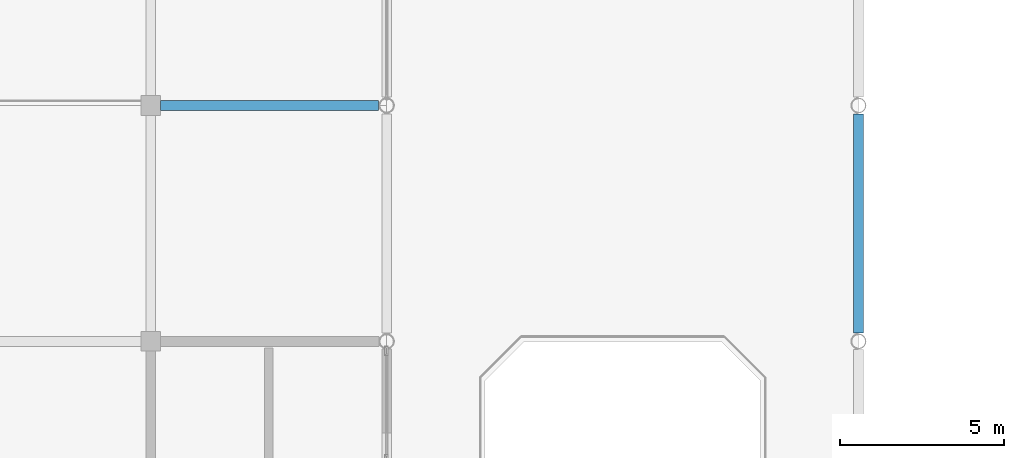
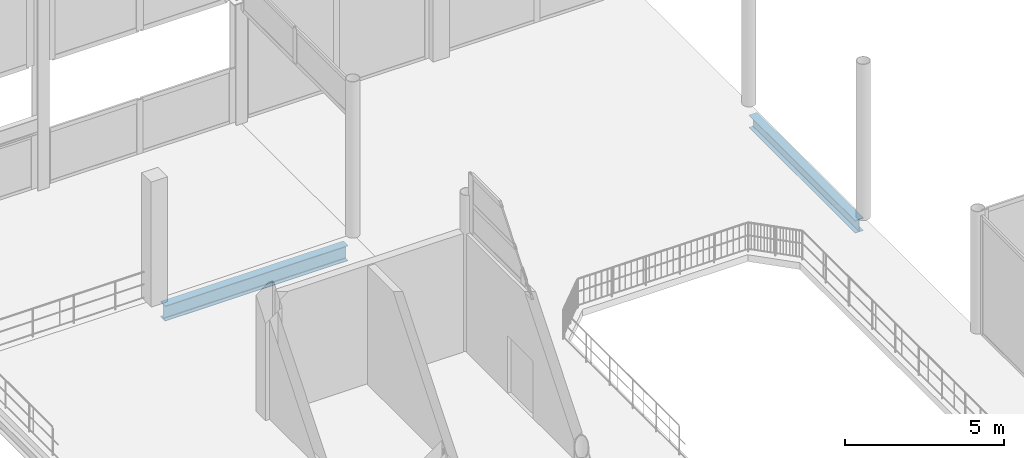
# One storey, part 58 of 120: 2 beams.
"""IFC4 building model written with IfcOpenShell, lengths in metres."""

from ifc_helpers import new_model, si_unit, direction, frame, origin, origin_2d, place, context, subcontext, project, spatial, i_section, extrude, material, material_profile, profile_set, type_object, element, save


model = new_model("IFC4")

# Units and contexts
model_context = context("Model", 3, precision=1e-05, world=origin(), true_north=direction((0.0, 1.0)))
body_context = subcontext(model_context, "Body", "Model", "MODEL_VIEW")
ifc_project = project(units=[si_unit("LENGTHUNIT", "METRE"), si_unit("AREAUNIT", "SQUARE_METRE"), si_unit("VOLUMEUNIT", "CUBIC_METRE"), si_unit("PLANEANGLEUNIT", "RADIAN"), si_unit("MASSUNIT", "GRAM", prefix="KILO")], contexts=[model_context])

# Site, building, storey
site_placement = place(None, origin())
site = spatial("IfcSite", under=ifc_project, at=site_placement, CompositionType="ELEMENT")
building_placement = place(site_placement, origin())
building = spatial("IfcBuilding", under=site, at=building_placement, Name="Vesperath Aquatics Centre", CompositionType="ELEMENT")
storey_placement = place(building_placement, frame((0.0, 0.0, 10.199951171875)))
storey = spatial("IfcBuildingStorey", under=building, at=storey_placement, Name="L02", CompositionType="ELEMENT", Elevation=10.199951171875)

# Beams
ifc_material = material(Name="Steel Q355C", Category="steel")
ifc_material_profile_1 = material_profile(ifc_material, i_section(OverallWidth=0.300048828125, OverallDepth=0.587890625, WebThickness=0.011962890625, FlangeThickness=0.02001953125, FilletRadius=0.028076171875, at=origin_2d()), Name="HM 588x300x12x20")
ifc_profile_set_1 = profile_set([ifc_material_profile_1], Name="Steel Q355C")
beam_type_1 = type_object("IfcBeamType", Name="BM-G09", PredefinedType="BEAM", material=ifc_profile_set_1)
beam_1_placement = place(storey_placement, frame((93.89990234375, 79.199951171875, -0.553955078125), z_axis=(1.0, 0.0, 0.0), x_axis=(0.0, 1.0, 0.0)))
element("IfcBeam", 1, at=beam_1_placement, inside=storey, type_object=beam_type_1, Name="Floor Girder B09 L02 M 14-15", PredefinedType="BEAM", context=body_context, shape_type="SweptSolid", body=[
    extrude(i_section(OverallWidth=0.300048828125, OverallDepth=0.587890625, WebThickness=0.011962890625, FlangeThickness=0.02001953125, FilletRadius=0.028076171875, at=origin_2d()), origin(), (0.0, 0.0, 1.0), 6.64599609375),
])
ifc_material_profile_2 = material_profile(ifc_material, i_section(OverallWidth=0.300048828125, OverallDepth=0.488037109375, WebThickness=0.010986328125, FlangeThickness=0.01806640625, FilletRadius=0.02587890625, at=origin_2d()), Name="HM 488x300x11x18")
ifc_profile_set_2 = profile_set([ifc_material_profile_2], Name="Steel Q355C")
beam_type_2 = type_object("IfcBeamType", Name="BM-G10", PredefinedType="BEAM", material=ifc_profile_set_2)
beam_2_placement = place(storey_placement, frame((115.199951171875, 72.25390625, -0.50390625), z_axis=(0.0, 1.0, 0.0), x_axis=(-1.0, 0.0, 0.0)))
element("IfcBeam", 2, at=beam_2_placement, inside=storey, type_object=beam_type_2, Name="Floor Girder B10 L02 17 L-M", PredefinedType="BEAM", context=body_context, shape_type="SweptSolid", body=[
    extrude(i_section(OverallWidth=0.300048828125, OverallDepth=0.488037109375, WebThickness=0.010986328125, FlangeThickness=0.01806640625, FilletRadius=0.02587890625, at=origin_2d()), origin(), (0.0, 0.0, 1.0), 6.692138671875),
])

save(model, "model.ifc")
